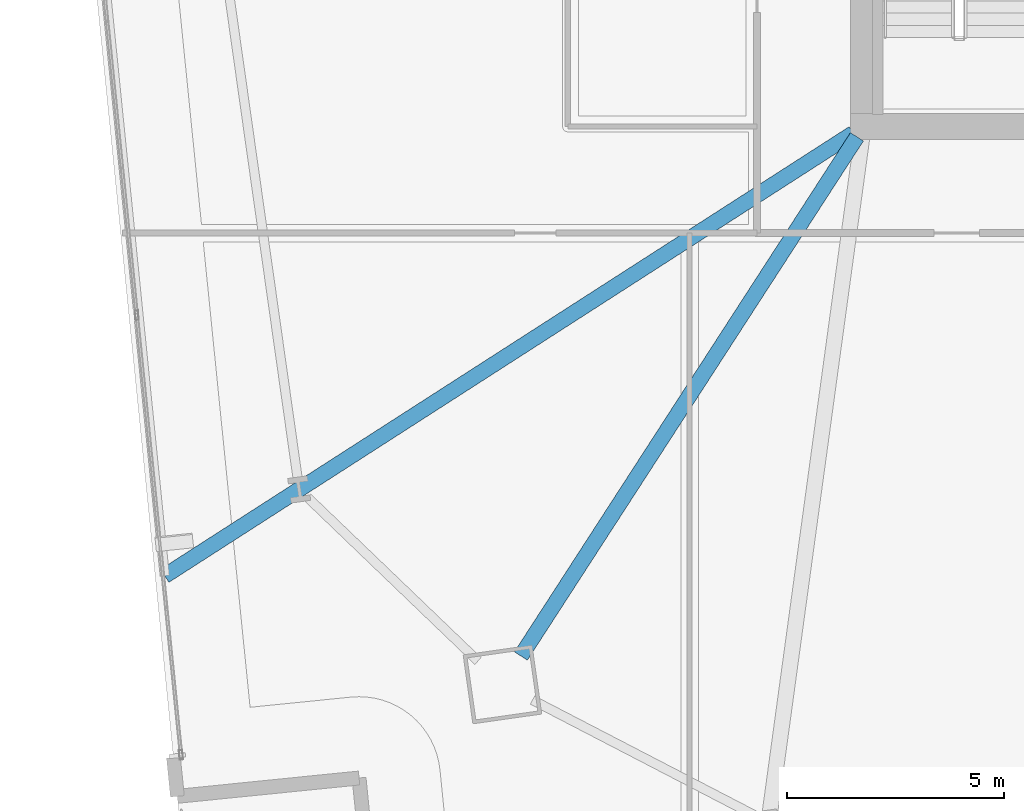
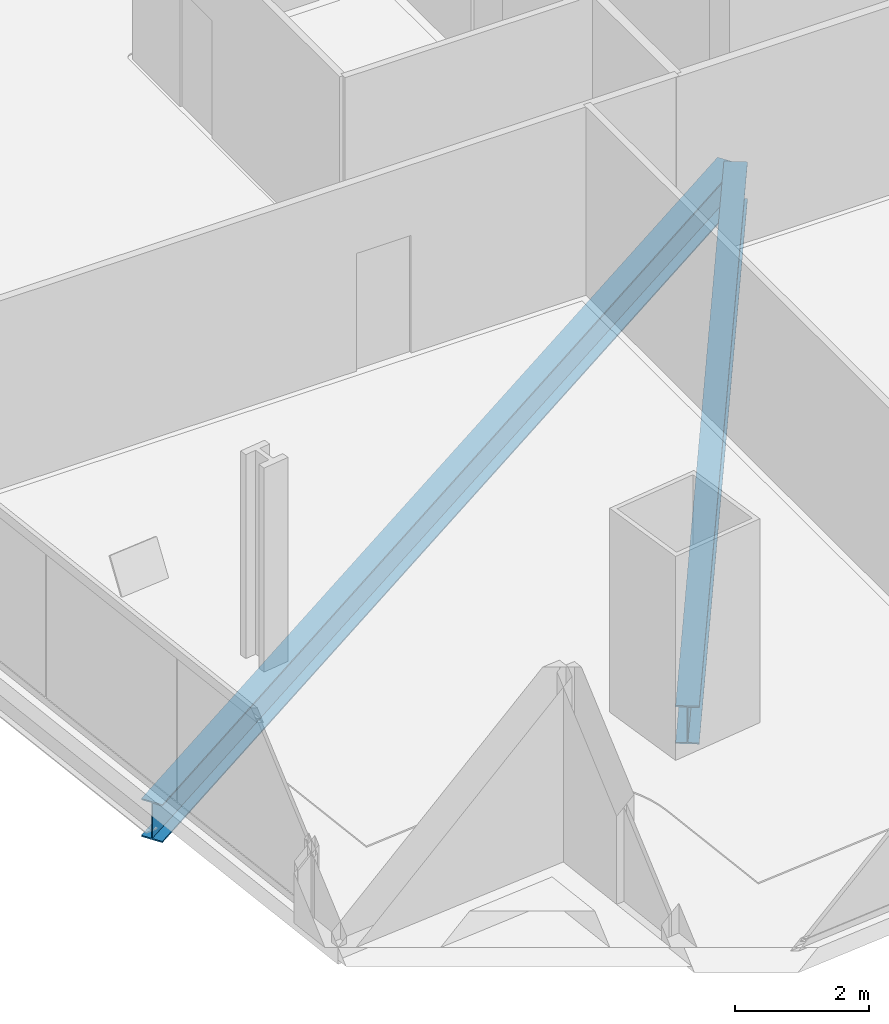
# One storey, part 4 of 33: 2 beams.
"""IFC4 building model written with IfcOpenShell, lengths in metres."""

from ifc_helpers import new_model, si_unit, direction, frame, origin, origin_2d, place, context, subcontext, project, spatial, i_section, extrude, material, material_profile, profile_set, type_object, element, save


model = new_model("IFC4")

# Units and contexts
model_context = context("Model", 3, precision=1e-05, world=origin(), true_north=direction((0.0, 1.0)))
body_context = subcontext(model_context, "Body", "Model", "MODEL_VIEW")
ifc_project = project(units=[si_unit("LENGTHUNIT", "METRE"), si_unit("AREAUNIT", "SQUARE_METRE"), si_unit("VOLUMEUNIT", "CUBIC_METRE"), si_unit("PLANEANGLEUNIT", "RADIAN"), si_unit("MASSUNIT", "GRAM", prefix="KILO")], contexts=[model_context])

# Site, building, storey
site_placement = place(None, origin())
site = spatial("IfcSite", under=ifc_project, at=site_placement, CompositionType="ELEMENT")
building_placement = place(site_placement, origin())
building = spatial("IfcBuilding", under=site, at=building_placement, Name="Haldenkirk Collegiate Tower", CompositionType="ELEMENT")
storey_placement = place(building_placement, frame((0.0, 0.0, 47.699951171875)))
storey = spatial("IfcBuildingStorey", under=building, at=storey_placement, Name="L10", CompositionType="ELEMENT", Elevation=47.699951171875)

# Beams
ifc_material = material(Name="Steel ASTM A992 Grade 50", Category="steel")
ifc_material_profile = material_profile(ifc_material, i_section(OverallWidth=0.35498046875, OverallDepth=0.696044921875, WebThickness=0.015380859375, FlangeThickness=0.02490234375, at=origin_2d()), Name="W27X146")
ifc_profile_set = profile_set([ifc_material_profile], Name="Steel ASTM A992 Grade 50")
beam_type = type_object("IfcBeamType", Name="BM-GIRDER-W27X146", PredefinedType="BEAM", material=ifc_profile_set)
beam_1_placement = place(storey_placement, frame((19.1201171875, 5.826416015625, -0.657958984375), z_axis=(0.54339434448, 0.839477567531, 0.0), x_axis=(-0.839477567531, 0.54339434448, 0.0)))
element("IfcBeam", 1, at=beam_1_placement, inside=storey, type_object=beam_type, Name="L10 primary floor girder 01", PredefinedType="BEAM", context=body_context, shape_type="SweptSolid", body=[
    extrude(i_section(OverallWidth=0.35498046875, OverallDepth=0.696044921875, WebThickness=0.015380859375, FlangeThickness=0.02490234375, at=origin_2d()), origin(), (0.0, 0.0, 1.0), 14.221435546875),
])
beam_2_placement = place(storey_placement, frame((10.930419921875, 7.669921875, -0.657958984375), z_axis=(0.841185217861, 0.54074710286, 0.0), x_axis=(-0.54074710286, 0.841185217861, 0.0)))
element("IfcBeam", 2, at=beam_2_placement, inside=storey, type_object=beam_type, Name="L10 primary floor girder 16", PredefinedType="BEAM", context=body_context, shape_type="SweptSolid", body=[
    extrude(i_section(OverallWidth=0.35498046875, OverallDepth=0.696044921875, WebThickness=0.015380859375, FlangeThickness=0.02490234375, at=origin_2d()), origin(), (0.0, 0.0, 1.0), 18.823486328125),
])

save(model, "model.ifc")
